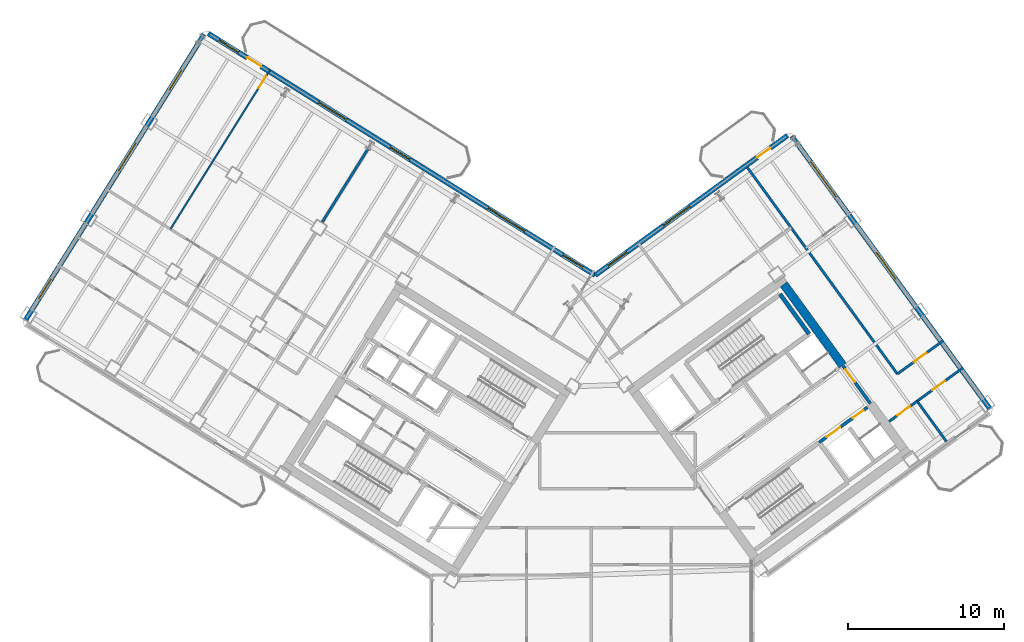
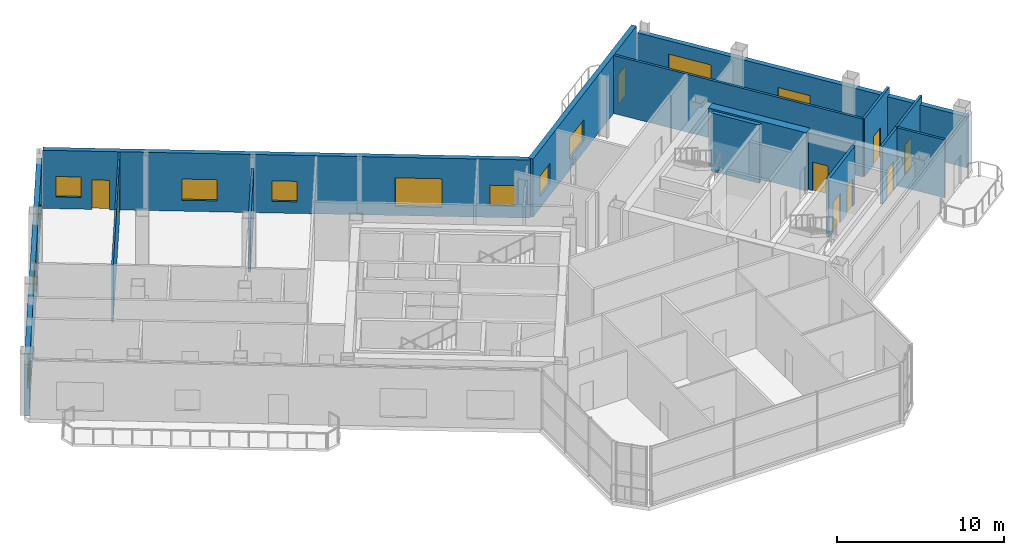
# One storey, part 15 of 21: 15 walls, 12 windows, 9 doors, 21 openings.
"""IFC4 building model written with IfcOpenShell, lengths in metres."""

from ifc_helpers import new_model, si_unit, direction, frame, frame_2d, origin, place, context, subcontext, project, spatial, rectangle, extrude, source, transform, mapped, material, layer, layer_set, type_object, element, fill, save


model = new_model("IFC4")

# Units and contexts
model_context = context("Model", 3, precision=1e-05, world=origin(), true_north=direction((0.0, 1.0)))
body_context = subcontext(model_context, "Body", "Model", "MODEL_VIEW")
ifc_project = project(units=[si_unit("LENGTHUNIT", "METRE"), si_unit("AREAUNIT", "SQUARE_METRE"), si_unit("VOLUMEUNIT", "CUBIC_METRE"), si_unit("PLANEANGLEUNIT", "RADIAN"), si_unit("MASSUNIT", "GRAM", prefix="KILO")], contexts=[model_context])

# Site, building, storey
site_placement = place(None, origin())
site = spatial("IfcSite", under=ifc_project, at=site_placement, CompositionType="ELEMENT")
building_placement = place(site_placement, origin())
building = spatial("IfcBuilding", under=site, at=building_placement, Name="Tlacorven Tower", CompositionType="ELEMENT")
storey_placement = place(building_placement, frame((0.0, 0.0, 199.5)))
storey = spatial("IfcBuildingStorey", under=building, at=storey_placement, Name="L50", CompositionType="ELEMENT", Elevation=199.5)

# Walls
ifc_material_1 = material(Name="Concrete C60/75", Category="concrete")
ifc_layer_1 = layer(ifc_material_1, 0.550048828125)
ifc_layer_set_1 = layer_set([ifc_layer_1], Name="Concrete C60/75")
wall_type_1 = type_object("IfcWallType", Name="WL-COR-550", PredefinedType="SHEAR", material=ifc_layer_set_1)
wall_1_placement = place(storey_placement, frame((58.06396484375, 25.8134765625, 0.0), z_axis=(0.0, 0.0, 1.0), x_axis=(-0.587764933797, 0.809031756236, 0.0)))
element("IfcWall", 1, at=wall_1_placement, inside=storey, type_object=wall_type_1, Name="L50 E core end wall E2.2", PredefinedType="SHEAR", context=body_context, shape_type="SweptSolid", body=[
    extrude(rectangle(XDim=6.425048828125, YDim=0.550048828125, at=frame_2d((3.21240234375, 0.0))), origin(), (0.0, 0.0, 1.0), 4.25),
])
ifc_material_2 = material(Name="Gypsum plasterboard acoustic partition", Category="gypsum")
ifc_layer_2 = layer(ifc_material_2, 0.159912109375)
ifc_layer_set_2 = layer_set([ifc_layer_2], Name="Gypsum plasterboard acoustic partition")
wall_type_2 = type_object("IfcWallType", Name="WL-DEM-160", PredefinedType="PARTITIONING", material=ifc_layer_set_2)
wall_2_placement = place(storey_placement, frame((27.6337890625, 39.657470703125, 0.0), z_axis=(0.0, 0.0, 1.0), x_axis=(-0.529899205623, -0.848060629837, 0.0)))
element("IfcWall", 2, at=wall_2_placement, inside=storey, type_object=wall_type_2, Name="L50 WS Demising Wall 1", PredefinedType="PARTITIONING", context=body_context, shape_type="SweptSolid", body=[
    extrude(rectangle(XDim=5.501220703125, YDim=0.159912109375, at=frame_2d((2.75048828125, 0.0))), origin(), (0.0, 0.0, 1.0), 3.72509765625),
])

# Wall, opening, door
wall_3_placement = place(storey_placement, frame((61.04150390625, 22.229248046875, 0.0), z_axis=(0.0, 0.0, 1.0), x_axis=(0.809075443949, 0.587704794942, 0.0)))
wall_3 = element("IfcWall", 3, at=wall_3_placement, inside=storey, type_object=wall_type_2, Name="L50 partition 82", PredefinedType="PARTITIONING", context=body_context, shape_type="SweptSolid", body=[
    extrude(rectangle(XDim=2.2080078125, YDim=0.159912109375, at=frame_2d((1.10400390625, 0.0))), origin(), (0.0, 0.0, 1.0), 4.239990234375),
])
opening_1_placement = place(wall_3_placement, frame((0.64794921875, 0.0, 0.0)))
opening_1 = element("IfcOpeningElement", 4, at=opening_1_placement, cuts=wall_3, Name="Opening D11", PredefinedType="OPENING", context=body_context, shape_type="SweptSolid", body=[
    extrude(rectangle(XDim=1.0, YDim=2.10009765625, at=frame_2d((0.5, 1.050048828125))), frame((0.0, 0.08984375, 0.0), z_axis=(0.0, -1.0, 0.0), x_axis=(1.0, 0.0, 0.0)), (0.0, 0.0, 1.0), 0.179931640625),
])
ifc_material_3 = material(Name="Fire-rated steel door assembly", Category="steel")
door_type_1 = type_object("IfcDoorType", Name="DR-FLT-FD60-1000", OperationType="NOTDEFINED", PredefinedType="DOOR", material=ifc_material_3)
shared_shape_1 = source(origin(), body_context, "Body", "SweptSolid", [
    extrude(rectangle(XDim=1.0, YDim=2.10009765625, at=frame_2d((0.5, 1.050048828125))), frame((0.0, 0.02490234375, 0.0), z_axis=(0.0, -1.0, 0.0), x_axis=(1.0, 0.0, 0.0)), (0.0, 0.0, 1.0), 0.050048828125),
])
door_1_placement = place(opening_1_placement, frame((1.0, 0.0, 0.0), z_axis=(0.0, 0.0, 1.0), x_axis=(-1.0, 0.0, 0.0)))
door_1 = element("IfcDoor", 5, at=door_1_placement, inside=storey, type_object=door_type_1, Name="L50 door 052", OperationType="SINGLE_SWING_RIGHT", OverallHeight=2.10009765625, OverallWidth=1.0, PredefinedType="DOOR", context=body_context, shape_type="MappedRepresentation", body=[
    mapped(shared_shape_1, transform((0.0, 0.0, 0.0), scale=1.0)),
])
fill(opening_1, door_1)

# Walls
wall_4_placement = place(storey_placement, frame((64.708740234375, 20.93798828125, 0.0), z_axis=(0.0, 0.0, 1.0), x_axis=(-0.587772420479, 0.809026317077, 0.0)))
element("IfcWall", 6, at=wall_4_placement, inside=storey, type_object=wall_type_2, Name="L50 partition 84", PredefinedType="PARTITIONING", context=body_context, shape_type="SweptSolid", body=[
    extrude(rectangle(XDim=3.199951171875, YDim=0.159912109375, at=frame_2d((1.60009765625, 0.0))), origin(), (0.0, 0.0, 1.0), 4.239990234375),
])
wall_5_placement = place(storey_placement, frame((61.564208984375, 25.266357421875, 0.0), z_axis=(0.0, 0.0, 1.0), x_axis=(-0.587784527444, 0.809017521007, 0.0)))
element("IfcWall", 7, at=wall_5_placement, inside=storey, type_object=wall_type_2, Name="L50 partition 85", PredefinedType="PARTITIONING", context=body_context, shape_type="SweptSolid", body=[
    extrude(rectangle(XDim=16.35009765625, YDim=0.159912109375, at=frame_2d((8.175048828125, 0.0))), origin(), (0.0, 0.0, 1.0), 4.239990234375),
])

# Wall, opening, door
wall_6_placement = place(storey_placement, frame((62.827880859375, 23.52685546875, 0.0), z_axis=(0.0, 0.0, 1.0), x_axis=(0.809003564202, 0.587803736896, 0.0)))
wall_6 = element("IfcWall", 8, at=wall_6_placement, inside=storey, type_object=wall_type_2, Name="L50 partition 87", PredefinedType="PARTITIONING", context=body_context, shape_type="SweptSolid", body=[
    extrude(rectangle(XDim=3.630126953125, YDim=0.159912109375, at=frame_2d((1.81494140625, 0.0))), origin(), (0.0, 0.0, 1.0), 4.239990234375),
])
opening_2_placement = place(wall_6_placement, frame((1.199951171875, 0.0, 0.0)))
opening_2 = element("IfcOpeningElement", 9, at=opening_2_placement, cuts=wall_6, Name="Opening D11", PredefinedType="OPENING", context=body_context, shape_type="SweptSolid", body=[
    extrude(rectangle(XDim=1.0, YDim=2.10009765625, at=frame_2d((0.5, 1.050048828125))), frame((0.0, 0.08984375, 0.0), z_axis=(0.0, -1.0, 0.0), x_axis=(1.0, 0.0, 0.0)), (0.0, 0.0, 1.0), 0.179931640625),
])
door_2_placement = place(opening_2_placement, frame((1.0, 0.0, 0.0), z_axis=(0.0, 0.0, 1.0), x_axis=(-1.0, 0.0, 0.0)))
door_2 = element("IfcDoor", 10, at=door_2_placement, inside=storey, type_object=door_type_1, Name="L50 door 056", OperationType="SINGLE_SWING_RIGHT", OverallHeight=2.10009765625, OverallWidth=1.0, PredefinedType="DOOR", context=body_context, shape_type="MappedRepresentation", body=[
    mapped(shared_shape_1, transform((0.0, 0.0, 0.0), scale=1.0)),
])
fill(opening_2, door_2)

wall_7_placement = place(storey_placement, frame((61.564208984375, 25.266357421875, 0.0), z_axis=(0.0, 0.0, 1.0), x_axis=(0.809012309495, 0.587791700422, 0.0)))
wall_7 = element("IfcWall", 11, at=wall_7_placement, inside=storey, type_object=wall_type_2, Name="L50 partition 88", PredefinedType="PARTITIONING", context=body_context, shape_type="SweptSolid", body=[
    extrude(rectangle(XDim=3.6298828125, YDim=0.159912109375, at=frame_2d((1.81494140625, 0.0))), origin(), (0.0, 0.0, 1.0), 4.239990234375),
])
opening_3_placement = place(wall_7_placement, frame((1.304931640625, 0.0, 0.0)))
opening_3 = element("IfcOpeningElement", 12, at=opening_3_placement, cuts=wall_7, Name="Opening D11", PredefinedType="OPENING", context=body_context, shape_type="SweptSolid", body=[
    extrude(rectangle(XDim=1.0, YDim=2.10009765625, at=frame_2d((0.5, 1.050048828125))), frame((0.0, 0.08984375, 0.0), z_axis=(0.0, -1.0, 0.0), x_axis=(1.0, 0.0, 0.0)), (0.0, 0.0, 1.0), 0.179931640625),
])
door_3_placement = place(opening_3_placement, origin())
door_3 = element("IfcDoor", 13, at=door_3_placement, inside=storey, type_object=door_type_1, Name="L50 door 054", OperationType="SINGLE_SWING_RIGHT", OverallHeight=2.10009765625, OverallWidth=1.0, PredefinedType="DOOR", context=body_context, shape_type="MappedRepresentation", body=[
    mapped(shared_shape_1, transform((0.0, 0.0, 0.0), scale=1.0)),
])
fill(opening_3, door_3)

# Wall, openings, windows
ifc_material_4 = material(Name="Precast concrete C45/55", Category="concrete")
ifc_layer_3 = layer(ifc_material_4, 0.320068359375)
ifc_layer_set_3 = layer_set([ifc_layer_3], Name="Precast concrete C45/55")
wall_type_3 = type_object("IfcWallType", Name="WL-EXT-320", PredefinedType="STANDARD", material=ifc_layer_set_3)
wall_8_placement = place(storey_placement, frame((5.699951171875, 28.71044921875, 0.0), z_axis=(0.0, 0.0, 1.0), x_axis=(0.529923711467, 0.8480453172, 0.0)))
wall_8 = element("IfcWall", 14, at=wall_8_placement, inside=storey, type_object=wall_type_3, Name="L50 Masonry-Frame Recessed Facade Wall 2", PredefinedType="STANDARD", context=body_context, shape_type="SweptSolid", body=[
    extrude(rectangle(XDim=21.58740234375, YDim=0.320068359375, at=frame_2d((10.793701171875, 0.0))), origin(), (0.0, 0.0, 1.0), 3.72509765625),
])
opening_4_placement = place(wall_8_placement, frame((1.603759765625, 0.0, 0.85009765625)))
opening_4 = element("IfcOpeningElement", 15, at=opening_4_placement, cuts=wall_8, Name="Opening WN02", PredefinedType="OPENING", context=body_context, shape_type="SweptSolid", body=[
    extrude(rectangle(XDim=1.5, YDim=1.5, at=frame_2d((0.75, 0.75))), frame((0.0, 0.169921875, 0.0), z_axis=(0.0, -1.0, 0.0), x_axis=(1.0, 0.0, 0.0)), (0.0, 0.0, 1.0), 0.340087890625),
])
opening_5_placement = place(wall_8_placement, frame((11.268798828125, 0.0, 0.800048828125)))
opening_5 = element("IfcOpeningElement", 16, at=opening_5_placement, cuts=wall_8, Name="Opening WN04", PredefinedType="OPENING", context=body_context, shape_type="SweptSolid", body=[
    extrude(rectangle(XDim=2.10009765625, YDim=1.550048828125, at=frame_2d((1.050048828125, 0.77490234375))), frame((0.0, 0.169921875, 0.0), z_axis=(0.0, -1.0, 0.0), x_axis=(1.0, 0.0, 0.0)), (0.0, 0.0, 1.0), 0.340087890625),
])
opening_6_placement = place(wall_8_placement, frame((17.40625, 0.0, 0.85009765625)))
opening_6 = element("IfcOpeningElement", 17, at=opening_6_placement, cuts=wall_8, Name="Opening WN02", PredefinedType="OPENING", context=body_context, shape_type="SweptSolid", body=[
    extrude(rectangle(XDim=1.5, YDim=1.5, at=frame_2d((0.75, 0.75))), frame((0.0, 0.169921875, 0.0), z_axis=(0.0, -1.0, 0.0), x_axis=(1.0, 0.0, 0.0)), (0.0, 0.0, 1.0), 0.340087890625),
])
ifc_material_5 = material(Name="Dark solar low-E double glazing in anodised aluminium frame", Category="aluminium")
window_type_1 = type_object("IfcWindowType", Name="WN-APT-2100X1750", PartitioningType="SINGLE_PANEL", PredefinedType="WINDOW", material=ifc_material_5)
shared_shape_2 = source(origin(), body_context, "Body", "SweptSolid", [
    extrude(rectangle(XDim=2.10009765625, YDim=1.550048828125, at=frame_2d((1.050048828125, 0.77490234375))), frame((0.0, 0.030029296875, 0.0), z_axis=(0.0, -1.0, 0.0), x_axis=(1.0, 0.0, 0.0)), (0.0, 0.0, 1.0), 0.06005859375),
])
window_1_placement = place(opening_5_placement, origin())
window_1 = element("IfcWindow", 18, at=window_1_placement, inside=storey, type_object=window_type_1, Name="L50 Recessed Masonry-Frame Window L50-02.2", OverallHeight=1.550048828125, OverallWidth=2.10009765625, PartitioningType="SINGLE_PANEL", PredefinedType="WINDOW", context=body_context, shape_type="MappedRepresentation", body=[
    mapped(shared_shape_2, transform((0.0, 0.0, 0.0), scale=1.0)),
])
fill(opening_5, window_1)
window_type_2 = type_object("IfcWindowType", Name="WN-APT-1500X1650", PartitioningType="SINGLE_PANEL", PredefinedType="WINDOW", material=ifc_material_5)
shared_shape_3 = source(origin(), body_context, "Body", "SweptSolid", [
    extrude(rectangle(XDim=1.5, YDim=1.5, at=frame_2d((0.75, 0.75))), frame((0.0, 0.030029296875, 0.0), z_axis=(0.0, -1.0, 0.0), x_axis=(1.0, 0.0, 0.0)), (0.0, 0.0, 1.0), 0.06005859375),
])
window_2_placement = place(opening_4_placement, origin())
window_2 = element("IfcWindow", 19, at=window_2_placement, inside=storey, type_object=window_type_2, Name="L50 Recessed Masonry-Frame Window L50-02.1", OverallHeight=1.5, OverallWidth=1.5, PartitioningType="SINGLE_PANEL", PredefinedType="WINDOW", context=body_context, shape_type="MappedRepresentation", body=[
    mapped(shared_shape_3, transform((0.0, 0.0, 0.0), scale=1.0)),
])
fill(opening_4, window_2)
window_3_placement = place(opening_6_placement, origin())
window_3 = element("IfcWindow", 20, at=window_3_placement, inside=storey, type_object=window_type_2, Name="L50 Recessed Masonry-Frame Window L50-02.3", OverallHeight=1.5, OverallWidth=1.5, PartitioningType="SINGLE_PANEL", PredefinedType="WINDOW", context=body_context, shape_type="MappedRepresentation", body=[
    mapped(shared_shape_3, transform((0.0, 0.0, 0.0), scale=1.0)),
])
fill(opening_6, window_3)

# Wall, openings, door, windows
wall_9_placement = place(storey_placement, frame((17.423828125, 47.083251953125, 0.0), z_axis=(0.0, 0.0, 1.0), x_axis=(0.848049927979, -0.529916332693, 0.0)))
wall_9 = element("IfcWall", 21, at=wall_9_placement, inside=storey, type_object=wall_type_3, Name="L50 Masonry-Frame Recessed Facade Wall 3", PredefinedType="STANDARD", context=body_context, shape_type="SweptSolid", body=[
    extrude(rectangle(XDim=29.22314453125, YDim=0.320068359375, at=frame_2d((14.611572265625, 0.0))), origin(), (0.0, 0.0, 1.0), 4.25),
])
opening_7_placement = place(wall_9_placement, frame((2.94873046875, 0.0, 0.0)))
opening_7 = element("IfcOpeningElement", 22, at=opening_7_placement, cuts=wall_9, Name="Opening D06", PredefinedType="OPENING", context=body_context, shape_type="SweptSolid", body=[
    extrude(rectangle(XDim=1.050048828125, YDim=2.14990234375, at=frame_2d((0.52490234375, 1.074951171875))), frame((0.0, 0.169921875, 0.0), z_axis=(0.0, -1.0, 0.0), x_axis=(1.0, 0.0, 0.0)), (0.0, 0.0, 1.0), 0.340087890625),
])
opening_8_placement = place(wall_9_placement, frame((0.789306640625, 0.0, 0.85009765625)))
opening_8 = element("IfcOpeningElement", 23, at=opening_8_placement, cuts=wall_9, Name="Opening WN02", PredefinedType="OPENING", context=body_context, shape_type="SweptSolid", body=[
    extrude(rectangle(XDim=1.5, YDim=1.5, at=frame_2d((0.75, 0.75))), frame((0.0, 0.169921875, 0.0), z_axis=(0.0, -1.0, 0.0), x_axis=(1.0, 0.0, 0.0)), (0.0, 0.0, 1.0), 0.340087890625),
])
opening_9_placement = place(wall_9_placement, frame((8.32861328125, 0.0, 0.800048828125)))
opening_9 = element("IfcOpeningElement", 24, at=opening_9_placement, cuts=wall_9, Name="Opening WN04", PredefinedType="OPENING", context=body_context, shape_type="SweptSolid", body=[
    extrude(rectangle(XDim=2.10009765625, YDim=1.550048828125, at=frame_2d((1.050048828125, 0.77490234375))), frame((0.0, 0.169921875, 0.0), z_axis=(0.0, -1.0, 0.0), x_axis=(1.0, 0.0, 0.0)), (0.0, 0.0, 1.0), 0.340087890625),
])
opening_10_placement = place(wall_9_placement, frame((13.73876953125, 0.0, 0.85009765625)))
opening_10 = element("IfcOpeningElement", 25, at=opening_10_placement, cuts=wall_9, Name="Opening WN02", PredefinedType="OPENING", context=body_context, shape_type="SweptSolid", body=[
    extrude(rectangle(XDim=1.5, YDim=1.5, at=frame_2d((0.75, 0.75))), frame((0.0, 0.169921875, 0.0), z_axis=(0.0, -1.0, 0.0), x_axis=(1.0, 0.0, 0.0)), (0.0, 0.0, 1.0), 0.340087890625),
])
opening_11_placement = place(wall_9_placement, frame((21.11376953125, 0.0, 0.64990234375)))
opening_11 = element("IfcOpeningElement", 26, at=opening_11_placement, cuts=wall_9, Name="Opening WN13", PredefinedType="OPENING", context=body_context, shape_type="SweptSolid", body=[
    extrude(rectangle(XDim=2.800048828125, YDim=2.10009765625, at=frame_2d((1.39990234375, 1.050048828125))), frame((0.0, 0.169921875, 0.0), z_axis=(0.0, -1.0, 0.0), x_axis=(1.0, 0.0, 0.0)), (0.0, 0.0, 1.0), 0.340087890625),
])
opening_12_placement = place(wall_9_placement, frame((26.78369140625, 0.0, 0.85009765625)))
opening_12 = element("IfcOpeningElement", 27, at=opening_12_placement, cuts=wall_9, Name="Opening WN02", PredefinedType="OPENING", context=body_context, shape_type="SweptSolid", body=[
    extrude(rectangle(XDim=1.5, YDim=1.5, at=frame_2d((0.75, 0.75))), frame((0.0, 0.169921875, 0.0), z_axis=(0.0, -1.0, 0.0), x_axis=(1.0, 0.0, 0.0)), (0.0, 0.0, 1.0), 0.340087890625),
])
ifc_material_6 = material(Name="Powder-coated aluminium and timber door", Category="wood")
door_type_2 = type_object("IfcDoorType", Name="DR-EXT-BALC-1050", OperationType="NOTDEFINED", PredefinedType="DOOR", material=ifc_material_6)
shared_shape_4 = source(origin(), body_context, "Body", "SweptSolid", [
    extrude(rectangle(XDim=1.050048828125, YDim=2.14990234375, at=frame_2d((0.52490234375, 1.074951171875))), frame((0.0, 0.02490234375, 0.0), z_axis=(0.0, -1.0, 0.0), x_axis=(1.0, 0.0, 0.0)), (0.0, 0.0, 1.0), 0.050048828125),
])
door_4_placement = place(opening_7_placement, origin())
door_4 = element("IfcDoor", 28, at=door_4_placement, inside=storey, type_object=door_type_2, Name="L50 Outdoor Access Door BAL-L50-W-IN", OperationType="SINGLE_SWING_RIGHT", OverallHeight=2.14990234375, OverallWidth=1.050048828125, PredefinedType="DOOR", context=body_context, shape_type="MappedRepresentation", body=[
    mapped(shared_shape_4, transform((0.0, 0.0, 0.0), scale=1.0)),
])
fill(opening_7, door_4)
window_4_placement = place(opening_9_placement, origin())
window_4 = element("IfcWindow", 29, at=window_4_placement, inside=storey, type_object=window_type_1, Name="L50 Recessed Masonry-Frame Window L50-03.2", OverallHeight=1.550048828125, OverallWidth=2.10009765625, PartitioningType="SINGLE_PANEL", PredefinedType="WINDOW", context=body_context, shape_type="MappedRepresentation", body=[
    mapped(shared_shape_2, transform((0.0, 0.0, 0.0), scale=1.0)),
])
fill(opening_9, window_4)
window_5_placement = place(opening_8_placement, origin())
window_5 = element("IfcWindow", 30, at=window_5_placement, inside=storey, type_object=window_type_2, Name="L50 Recessed Masonry-Frame Window L50-03.1", OverallHeight=1.5, OverallWidth=1.5, PartitioningType="SINGLE_PANEL", PredefinedType="WINDOW", context=body_context, shape_type="MappedRepresentation", body=[
    mapped(shared_shape_3, transform((0.0, 0.0, 0.0), scale=1.0)),
])
fill(opening_8, window_5)
window_6_placement = place(opening_10_placement, origin())
window_6 = element("IfcWindow", 31, at=window_6_placement, inside=storey, type_object=window_type_2, Name="L50 Recessed Masonry-Frame Window L50-03.3", OverallHeight=1.5, OverallWidth=1.5, PartitioningType="SINGLE_PANEL", PredefinedType="WINDOW", context=body_context, shape_type="MappedRepresentation", body=[
    mapped(shared_shape_3, transform((0.0, 0.0, 0.0), scale=1.0)),
])
fill(opening_10, window_6)
window_7_placement = place(opening_12_placement, origin())
window_7 = element("IfcWindow", 32, at=window_7_placement, inside=storey, type_object=window_type_2, Name="L50 Recessed Masonry-Frame Window L50-03.5", OverallHeight=1.5, OverallWidth=1.5, PartitioningType="SINGLE_PANEL", PredefinedType="WINDOW", context=body_context, shape_type="MappedRepresentation", body=[
    mapped(shared_shape_3, transform((0.0, 0.0, 0.0), scale=1.0)),
])
fill(opening_12, window_7)
window_type_3 = type_object("IfcWindowType", Name="WN-SKY-2800X2400", PartitioningType="SINGLE_PANEL", PredefinedType="WINDOW", material=ifc_material_5)
shared_shape_5 = source(origin(), body_context, "Body", "SweptSolid", [
    extrude(rectangle(XDim=2.800048828125, YDim=2.10009765625, at=frame_2d((1.39990234375, 1.050048828125))), frame((0.0, 0.030029296875, 0.0), z_axis=(0.0, -1.0, 0.0), x_axis=(1.0, 0.0, 0.0)), (0.0, 0.0, 1.0), 0.06005859375),
])
window_8_placement = place(opening_11_placement, origin())
window_8 = element("IfcWindow", 33, at=window_8_placement, inside=storey, type_object=window_type_3, Name="L50 Recessed Masonry-Frame Window L50-03.4", OverallHeight=2.10009765625, OverallWidth=2.800048828125, PartitioningType="SINGLE_PANEL", PredefinedType="WINDOW", context=body_context, shape_type="MappedRepresentation", body=[
    mapped(shared_shape_5, transform((0.0, 0.0, 0.0), scale=1.0)),
])
fill(opening_11, window_8)

wall_10_placement = place(storey_placement, frame((42.20654296875, 31.597412109375, 0.0), z_axis=(0.0, 0.0, 1.0), x_axis=(0.809020333377, 0.587780656523, 0.0)))
wall_10 = element("IfcWall", 34, at=wall_10_placement, inside=storey, type_object=wall_type_3, Name="L50 Masonry-Frame Recessed Facade Wall 4", PredefinedType="STANDARD", context=body_context, shape_type="SweptSolid", body=[
    extrude(rectangle(XDim=15.222900390625, YDim=0.320068359375, at=frame_2d((7.611328125, 0.0))), origin(), (0.0, 0.0, 1.0), 4.25),
])
opening_13_placement = place(wall_10_placement, frame((12.81982421875, 0.0, 0.0)))
opening_13 = element("IfcOpeningElement", 35, at=opening_13_placement, cuts=wall_10, Name="Opening D06", PredefinedType="OPENING", context=body_context, shape_type="SweptSolid", body=[
    extrude(rectangle(XDim=1.050048828125, YDim=2.14990234375, at=frame_2d((0.52490234375, 1.074951171875))), frame((0.0, 0.169921875, 0.0), z_axis=(0.0, -1.0, 0.0), x_axis=(1.0, 0.0, 0.0)), (0.0, 0.0, 1.0), 0.340087890625),
])
opening_14_placement = place(wall_10_placement, frame((1.017822265625, 0.0, 0.85009765625)))
opening_14 = element("IfcOpeningElement", 36, at=opening_14_placement, cuts=wall_10, Name="Opening WN02", PredefinedType="OPENING", context=body_context, shape_type="SweptSolid", body=[
    extrude(rectangle(XDim=1.5, YDim=1.5, at=frame_2d((0.75, 0.75))), frame((0.0, 0.169921875, 0.0), z_axis=(0.0, -1.0, 0.0), x_axis=(1.0, 0.0, 0.0)), (0.0, 0.0, 1.0), 0.340087890625),
])
opening_15_placement = place(wall_10_placement, frame((5.394287109375, 0.0, 0.800048828125)))
opening_15 = element("IfcOpeningElement", 37, at=opening_15_placement, cuts=wall_10, Name="Opening WN04", PredefinedType="OPENING", context=body_context, shape_type="SweptSolid", body=[
    extrude(rectangle(XDim=2.10009765625, YDim=1.550048828125, at=frame_2d((1.050048828125, 0.77490234375))), frame((0.0, 0.169921875, 0.0), z_axis=(0.0, -1.0, 0.0), x_axis=(1.0, 0.0, 0.0)), (0.0, 0.0, 1.0), 0.340087890625),
])
door_5_placement = place(opening_13_placement, origin())
door_5 = element("IfcDoor", 38, at=door_5_placement, inside=storey, type_object=door_type_2, Name="L50 Outdoor Access Door BAL-L50-E-IN", OperationType="SINGLE_SWING_RIGHT", OverallHeight=2.14990234375, OverallWidth=1.050048828125, PredefinedType="DOOR", context=body_context, shape_type="MappedRepresentation", body=[
    mapped(shared_shape_4, transform((0.0, 0.0, 0.0), scale=1.0)),
])
fill(opening_13, door_5)
window_9_placement = place(opening_15_placement, origin())
window_9 = element("IfcWindow", 39, at=window_9_placement, inside=storey, type_object=window_type_1, Name="L50 Recessed Masonry-Frame Window L50-04.2", OverallHeight=1.550048828125, OverallWidth=2.10009765625, PartitioningType="SINGLE_PANEL", PredefinedType="WINDOW", context=body_context, shape_type="MappedRepresentation", body=[
    mapped(shared_shape_2, transform((0.0, 0.0, 0.0), scale=1.0)),
])
fill(opening_15, window_9)
window_10_placement = place(opening_14_placement, origin())
window_10 = element("IfcWindow", 40, at=window_10_placement, inside=storey, type_object=window_type_2, Name="L50 Recessed Masonry-Frame Window L50-04.1", OverallHeight=1.5, OverallWidth=1.5, PartitioningType="SINGLE_PANEL", PredefinedType="WINDOW", context=body_context, shape_type="MappedRepresentation", body=[
    mapped(shared_shape_3, transform((0.0, 0.0, 0.0), scale=1.0)),
])
fill(opening_14, window_10)

# Wall, openings, windows
wall_11_placement = place(storey_placement, frame((54.810302734375, 40.49951171875, 0.0), z_axis=(0.0, 0.0, 1.0), x_axis=(0.587783625747, -0.809018176127, 0.0)))
wall_11 = element("IfcWall", 41, at=wall_11_placement, inside=storey, type_object=wall_type_3, Name="L50 Masonry-Frame Recessed Facade Wall 5", PredefinedType="STANDARD", context=body_context, shape_type="SweptSolid", body=[
    extrude(rectangle(XDim=21.58740234375, YDim=0.320068359375, at=frame_2d((10.793701171875, 0.0))), origin(), (0.0, 0.0, 1.0), 3.72509765625),
])
opening_16_placement = place(wall_11_placement, frame((2.017578125, 0.0, 0.64990234375)))
opening_16 = element("IfcOpeningElement", 42, at=opening_16_placement, cuts=wall_11, Name="Opening WN13", PredefinedType="OPENING", context=body_context, shape_type="SweptSolid", body=[
    extrude(rectangle(XDim=2.800048828125, YDim=2.10009765625, at=frame_2d((1.39990234375, 1.050048828125))), frame((0.0, 0.169921875, 0.0), z_axis=(0.0, -1.0, 0.0), x_axis=(1.0, 0.0, 0.0)), (0.0, 0.0, 1.0), 0.340087890625),
])
opening_17_placement = place(wall_11_placement, frame((9.193603515625, 0.0, 0.800048828125)))
opening_17 = element("IfcOpeningElement", 43, at=opening_17_placement, cuts=wall_11, Name="Opening WN04", PredefinedType="OPENING", context=body_context, shape_type="SweptSolid", body=[
    extrude(rectangle(XDim=2.10009765625, YDim=1.550048828125, at=frame_2d((1.050048828125, 0.77490234375))), frame((0.0, 0.169921875, 0.0), z_axis=(0.0, -1.0, 0.0), x_axis=(1.0, 0.0, 0.0)), (0.0, 0.0, 1.0), 0.340087890625),
])
window_11_placement = place(opening_17_placement, origin())
window_11 = element("IfcWindow", 44, at=window_11_placement, inside=storey, type_object=window_type_1, Name="L50 Recessed Masonry-Frame Window L50-05.2", OverallHeight=1.550048828125, OverallWidth=2.10009765625, PartitioningType="SINGLE_PANEL", PredefinedType="WINDOW", context=body_context, shape_type="MappedRepresentation", body=[
    mapped(shared_shape_2, transform((0.0, 0.0, 0.0), scale=1.0)),
])
fill(opening_17, window_11)
window_12_placement = place(opening_16_placement, origin())
window_12 = element("IfcWindow", 45, at=window_12_placement, inside=storey, type_object=window_type_3, Name="L50 Recessed Masonry-Frame Window L50-05.1", OverallHeight=2.10009765625, OverallWidth=2.800048828125, PartitioningType="SINGLE_PANEL", PredefinedType="WINDOW", context=body_context, shape_type="MappedRepresentation", body=[
    mapped(shared_shape_5, transform((0.0, 0.0, 0.0), scale=1.0)),
])
fill(opening_16, window_12)

# Wall, opening, door
ifc_material_7 = material(Name="Gypsum plasterboard partition", Category="gypsum")
ifc_layer_4 = layer(ifc_material_7, 0.110107421875)
ifc_layer_set_4 = layer_set([ifc_layer_4], Name="Gypsum plasterboard partition")
wall_type_4 = type_object("IfcWallType", Name="WL-INT-110", PredefinedType="PARTITIONING", material=ifc_layer_set_4)
wall_12_placement = place(storey_placement, frame((21.37451171875, 44.756103515625, 0.0), z_axis=(0.0, 0.0, 1.0), x_axis=(-0.529905980331, -0.848056396715, 0.0)))
wall_12 = element("IfcWall", 46, at=wall_12_placement, inside=storey, type_object=wall_type_4, Name="L50 partition 59", PredefinedType="PARTITIONING", context=body_context, shape_type="SweptSolid", body=[
    extrude(rectangle(XDim=12.0400390625, YDim=0.110107421875, at=frame_2d((6.02001953125, 0.0))), origin(), (0.0, 0.0, 1.0), 4.239990234375),
])
opening_18_placement = place(wall_12_placement, frame((0.469970703125, 0.0, 0.0)))
opening_18 = element("IfcOpeningElement", 47, at=opening_18_placement, cuts=wall_12, Name="Opening D12", PredefinedType="OPENING", context=body_context, shape_type="SweptSolid", body=[
    extrude(rectangle(XDim=0.919921875, YDim=2.080078125, at=frame_2d((0.4599609375, 1.0400390625))), frame((0.0, 0.06494140625, 0.0), z_axis=(0.0, -1.0, 0.0), x_axis=(1.0, 0.0, 0.0)), (0.0, 0.0, 1.0), 0.130126953125),
])
door_type_3 = type_object("IfcDoorType", Name="DR-INT-ROOM-0920", OperationType="NOTDEFINED", PredefinedType="DOOR", material=ifc_material_6)
shared_shape_6 = source(origin(), body_context, "Body", "SweptSolid", [
    extrude(rectangle(XDim=0.919921875, YDim=2.080078125, at=frame_2d((0.4599609375, 1.0400390625))), frame((0.0, 0.02490234375, 0.0), z_axis=(0.0, -1.0, 0.0), x_axis=(1.0, 0.0, 0.0)), (0.0, 0.0, 1.0), 0.050048828125),
])
door_6_placement = place(opening_18_placement, origin())
door_6 = element("IfcDoor", 48, at=door_6_placement, inside=storey, type_object=door_type_3, Name="L50 door 032", OperationType="SINGLE_SWING_LEFT", OverallHeight=2.080078125, OverallWidth=0.919921875, PredefinedType="DOOR", context=body_context, shape_type="MappedRepresentation", body=[
    mapped(shared_shape_6, transform((0.0, 0.0, 0.0), scale=1.0)),
])
fill(opening_18, door_6)

# Wall, openings, doors
ifc_material_8 = material(Name="Concrete C40/50", Category="concrete")
ifc_layer_5 = layer(ifc_material_8, 0.199951171875)
ifc_layer_set_5 = layer_set([ifc_layer_5], Name="Concrete C40/50")
wall_type_5 = type_object("IfcWallType", Name="WL-SHF-200", PredefinedType="STANDARD", material=ifc_layer_set_5)
wall_13_placement = place(storey_placement, frame((56.552978515625, 20.884033203125, 0.0), z_axis=(0.0, 0.0, 1.0), x_axis=(0.809023564264, 0.58777620951, 0.0)))
wall_13 = element("IfcWall", 49, at=wall_13_placement, inside=storey, type_object=wall_type_5, Name="L50 Core E South Lift Shaft Wall", PredefinedType="STANDARD", context=body_context, shape_type="SweptSolid", body=[
    extrude(rectangle(XDim=3.818115234375, YDim=0.199951171875, at=frame_2d((1.9091796875, 0.0))), origin(), (0.0, 0.0, 1.0), 4.239990234375),
])
opening_19_placement = place(wall_13_placement, frame((0.570068359375, 0.0, 0.0)))
opening_19 = element("IfcOpeningElement", 50, at=opening_19_placement, cuts=wall_13, Name="Opening LD01", PredefinedType="OPENING", context=body_context, shape_type="SweptSolid", body=[
    extrude(rectangle(XDim=1.10009765625, YDim=2.14990234375, at=frame_2d((0.550048828125, 1.074951171875))), frame((0.0, 0.10986328125, 0.0), z_axis=(0.0, -1.0, 0.0), x_axis=(1.0, 0.0, 0.0)), (0.0, 0.0, 1.0), 0.219970703125),
])
opening_20_placement = place(wall_13_placement, frame((2.64990234375, 0.0, 0.0)))
opening_20 = element("IfcOpeningElement", 51, at=opening_20_placement, cuts=wall_13, Name="Opening D19", PredefinedType="OPENING", context=body_context, shape_type="SweptSolid", body=[
    extrude(rectangle(XDim=0.860107421875, YDim=2.050048828125, at=frame_2d((0.43017578125, 1.02490234375))), frame((0.0, 0.10986328125, 0.0), z_axis=(0.0, -1.0, 0.0), x_axis=(1.0, 0.0, 0.0)), (0.0, 0.0, 1.0), 0.219970703125),
])
door_type_4 = type_object("IfcDoorType", Name="DR-RSR-FD60-0860", OperationType="NOTDEFINED", PredefinedType="DOOR", material=ifc_material_3)
shared_shape_7 = source(origin(), body_context, "Body", "SweptSolid", [
    extrude(rectangle(XDim=0.860107421875, YDim=2.050048828125, at=frame_2d((0.43017578125, 1.02490234375))), frame((0.0, 0.02490234375, 0.0), z_axis=(0.0, -1.0, 0.0), x_axis=(1.0, 0.0, 0.0)), (0.0, 0.0, 1.0), 0.050048828125),
])
door_7_placement = place(opening_20_placement, origin())
door_7 = element("IfcDoor", 52, at=door_7_placement, inside=storey, type_object=door_type_4, Name="L50 Smoke Extract Riser Access Door", OperationType="SINGLE_SWING_LEFT", OverallHeight=2.050048828125, OverallWidth=0.860107421875, PredefinedType="DOOR", context=body_context, shape_type="MappedRepresentation", body=[
    mapped(shared_shape_7, transform((0.0, 0.0, 0.0), scale=1.0)),
])
fill(opening_20, door_7)
door_type_5 = type_object("IfcDoorType", Name="DR-LFT-SLID-1100", OperationType="DOUBLE_DOOR_SLIDING", PredefinedType="DOOR", material=ifc_material_3)
shared_shape_8 = source(origin(), body_context, "Body", "SweptSolid", [
    extrude(rectangle(XDim=1.10009765625, YDim=2.14990234375, at=frame_2d((0.550048828125, 1.074951171875))), frame((0.0, 0.02490234375, 0.0), z_axis=(0.0, -1.0, 0.0), x_axis=(1.0, 0.0, 0.0)), (0.0, 0.0, 1.0), 0.050048828125),
])
door_8_placement = place(opening_19_placement, origin())
door_8 = element("IfcDoor", 53, at=door_8_placement, inside=storey, type_object=door_type_5, Name="L50 Lift PL-M4 Sliding Landing Door", OperationType="DOUBLE_DOOR_SLIDING", OverallHeight=2.14990234375, OverallWidth=1.10009765625, PredefinedType="DOOR", context=body_context, shape_type="MappedRepresentation", body=[
    mapped(shared_shape_8, transform((0.0, 0.0, 0.0), scale=1.0)),
])
fill(opening_19, door_8)

# Wall, opening, door
wall_14_placement = place(storey_placement, frame((59.827392578125, 23.386474609375, 0.0), z_axis=(0.0, 0.0, 1.0), x_axis=(-0.587803840107, 0.809003489211, 0.0)))
wall_14 = element("IfcWall", 54, at=wall_14_placement, inside=storey, type_object=wall_type_5, Name="L50 partition 81", PredefinedType="STANDARD", context=body_context, shape_type="SweptSolid", body=[
    extrude(rectangle(XDim=2.960205078125, YDim=0.199951171875, at=frame_2d((1.47998046875, 0.0))), origin(), (0.0, 0.0, 1.0), 4.239990234375),
])
opening_21_placement = place(wall_14_placement, frame((1.679931640625, 0.0, 0.0)))
opening_21 = element("IfcOpeningElement", 55, at=opening_21_placement, cuts=wall_14, Name="Opening D11", PredefinedType="OPENING", context=body_context, shape_type="SweptSolid", body=[
    extrude(rectangle(XDim=1.0, YDim=2.10009765625, at=frame_2d((0.5, 1.050048828125))), frame((0.0, 0.10986328125, 0.0), z_axis=(0.0, -1.0, 0.0), x_axis=(1.0, 0.0, 0.0)), (0.0, 0.0, 1.0), 0.219970703125),
])
door_9_placement = place(opening_21_placement, origin())
door_9 = element("IfcDoor", 56, at=door_9_placement, inside=storey, type_object=door_type_1, Name="L50 door 053", OperationType="SINGLE_SWING_LEFT", OverallHeight=2.10009765625, OverallWidth=1.0, PredefinedType="DOOR", context=body_context, shape_type="MappedRepresentation", body=[
    mapped(shared_shape_1, transform((0.0, 0.0, 0.0), scale=1.0)),
])
fill(opening_21, door_9)

# Wall
ifc_material_9 = material(Name="Concrete C50/60", Category="concrete")
ifc_layer_6 = layer(ifc_material_9, 0.260009765625)
ifc_layer_set_6 = layer_set([ifc_layer_6], Name="Concrete C50/60")
wall_type_6 = type_object("IfcWallType", Name="WL-STW-260", PredefinedType="SHEAR", material=ifc_layer_set_6)
wall_15_placement = place(storey_placement, frame((55.906494140625, 27.83056640625, 0.0), z_axis=(0.0, 0.0, 1.0), x_axis=(-0.587804123638, 0.809003283204, 0.0)))
element("IfcWall", 57, at=wall_15_placement, inside=storey, type_object=wall_type_6, Name="L50 Stair E1 East Shear Wall", PredefinedType="SHEAR", context=body_context, shape_type="SweptSolid", body=[
    extrude(rectangle(XDim=3.159912109375, YDim=0.260009765625, at=frame_2d((1.580078125, 0.0))), origin(), (0.0, 0.0, 1.0), 4.25),
])

save(model, "model.ifc")
